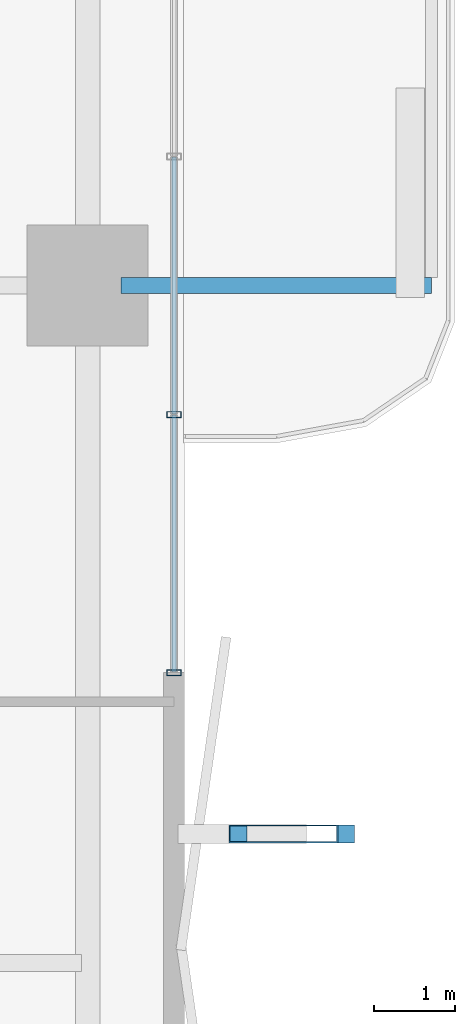
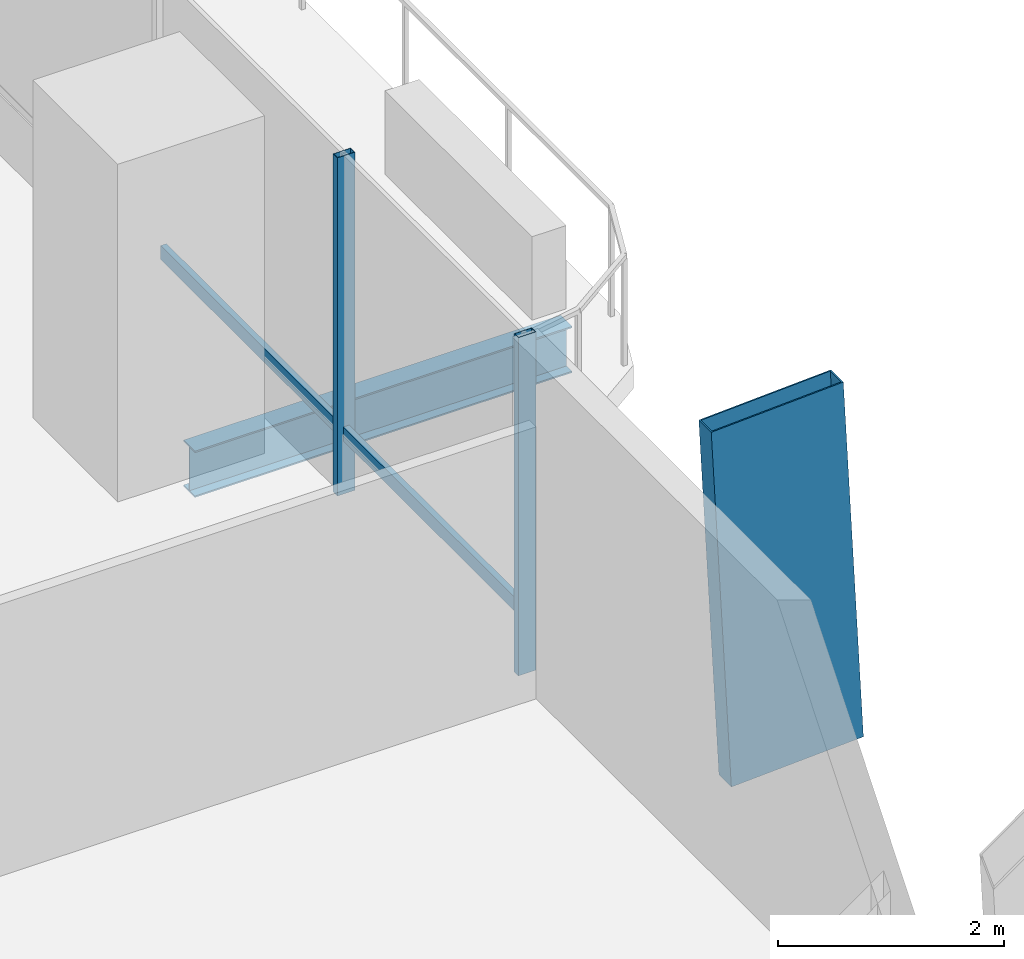
# One storey, part 8 of 24: 5 members, 1 beam, 1 element without a shape of its own.
"""IFC4 building model written with IfcOpenShell, lengths in metres."""

from ifc_helpers import new_model, si_unit, direction, frame, origin, origin_2d, place, context, subcontext, project, spatial, hollow_rectangle, i_section, extrude, material, layer, layer_set, material_profile, profile_set, type_object, element, aggregate, save


model = new_model("IFC4")

# Units and contexts
model_context = context("Model", 3, precision=1e-05, world=origin(), true_north=direction((0.0, 1.0)))
body_context = subcontext(model_context, "Body", "Model", "MODEL_VIEW")
ifc_project = project(units=[si_unit("LENGTHUNIT", "METRE"), si_unit("AREAUNIT", "SQUARE_METRE"), si_unit("VOLUMEUNIT", "CUBIC_METRE"), si_unit("PLANEANGLEUNIT", "RADIAN"), si_unit("MASSUNIT", "GRAM", prefix="KILO")], contexts=[model_context])

# Site, building, storey
site_placement = place(None, origin())
site = spatial("IfcSite", under=ifc_project, at=site_placement, CompositionType="ELEMENT")
building_placement = place(site_placement, origin())
building = spatial("IfcBuilding", under=site, at=building_placement, Name="Belovzor Exchange Tower", CompositionType="ELEMENT")
storey_placement = place(building_placement, frame((0.0, 0.0, 69.0)))
storey = spatial("IfcBuildingStorey", under=building, at=storey_placement, Name="L16", CompositionType="ELEMENT", Elevation=69.0)

# Member
ifc_material_1 = material(Name="Extruded Architectural Terracotta on Steel S355 Carrier", Category="masonry")
ifc_material_profile_1 = material_profile(ifc_material_1, hollow_rectangle(XDim=0.219970703125, YDim=1.35009765625, WallThickness=0.013916015625, at=origin_2d()))
ifc_profile_set_1 = profile_set([ifc_material_profile_1], Name="Extruded Architectural Terracotta on Steel S355 Carrier")
member_type_1 = type_object("IfcMemberType", Name="Base Arc Sweeping Terracotta Pylon Fin 1450", PredefinedType="USERDEFINED", material=ifc_profile_set_1)
member_1_placement = place(storey_placement, frame((58.132080078125, 22.0, -0.25), z_axis=(-0.052512896371, 0.0, 0.998620245997), x_axis=(0.0, -1.0, 0.0)))
element("IfcMember", 1, at=member_1_placement, inside=storey, type_object=member_type_1, Name="FIN-TC145 Terracotta Facade Fin L16 E2", ObjectType="FIN", PredefinedType="USERDEFINED", context=body_context, shape_type="SweptSolid", body=[
    extrude(hollow_rectangle(XDim=0.219970703125, YDim=1.35009765625, WallThickness=0.013916015625, at=origin_2d()), origin(), (0.0, 0.0, 1.0), 3.9052734375),
])

# Beam
ifc_material_2 = material(Name="Steel S355", Category="steel")
ifc_material_profile_2 = material_profile(ifc_material_2, i_section(OverallWidth=0.199951171875, OverallDepth=0.5, WebThickness=0.01025390625, FlangeThickness=0.01611328125, at=origin_2d()))
ifc_profile_set_2 = profile_set([ifc_material_profile_2], Name="Steel S355")
beam_type = type_object("IfcBeamType", Name="Planted Balcony Cantilever Beam IPE 500", PredefinedType="BEAM", material=ifc_profile_set_2)
beam_placement = place(storey_placement, frame((55.9130859375, 28.800048828125, -0.5), z_axis=(1.0, 0.0, 0.0), x_axis=(0.0, 1.0, 0.0)))
element("IfcBeam", 2, at=beam_placement, inside=storey, type_object=beam_type, Name="BC-500 Planted Balcony Cantilever Beam IPE 500", PredefinedType="BEAM", context=body_context, shape_type="SweptSolid", body=[
    extrude(i_section(OverallWidth=0.199951171875, OverallDepth=0.5, WebThickness=0.01025390625, FlangeThickness=0.01611328125, at=origin_2d()), origin(), (0.0, 0.0, 1.0), 3.849853515625),
])

# Curtain wall, members
ifc_material_3 = material(Name="Anodised Aluminium Framing", Category="aluminium")
ifc_layer = layer(ifc_material_3, 0.179931640625)
ifc_layer_set = layer_set([ifc_layer], Name="Anodised Aluminium Framing")
curtain_wall_type = type_object("IfcCurtainWallType", Name="Recessed Loggia Low-Iron Triple-Glazed Curtain Wall", PredefinedType="NOTDEFINED", material=ifc_layer_set)
curtain_wall_placement = place(storey_placement, origin())
curtain_wall = element("IfcCurtainWall", 3, at=curtain_wall_placement, inside=storey, type_object=curtain_wall_type, Name="CW3 Recessed Loggia Low-Iron Triple-Glazed Curtain Wall L16", PredefinedType="NOTDEFINED")
ifc_material_4 = material(Name="Steel S355", Category="steel")
ifc_material_profile_3 = material_profile(ifc_material_4, hollow_rectangle(XDim=0.074951171875, YDim=0.179931640625, WallThickness=0.0048828125, at=origin_2d()))
ifc_profile_set_3 = profile_set([ifc_material_profile_3], Name="Steel S355")
member_type_2 = type_object("IfcMemberType", Name="Thermally Broken Curtain Wall Mullion 180x75", PredefinedType="MULLION", material=ifc_profile_set_3)
member_2_placement = place(storey_placement, frame((56.570068359375, 27.199951171875, 0.0), z_axis=(0.0, 0.0, 1.0), x_axis=(0.0, -1.0, 0.0)))
member_2 = element("IfcMember", 4, at=member_2_placement, type_object=member_type_2, Name="CW-M180 Curtain Wall Mullion 3", PredefinedType="MULLION", context=body_context, shape_type="SweptSolid", body=[
    extrude(hollow_rectangle(XDim=0.074951171875, YDim=0.179931640625, WallThickness=0.0048828125, at=origin_2d()), origin(), (0.0, 0.0, 1.0), 3.64990234375),
])
member_3_placement = place(storey_placement, frame((56.570068359375, 24.0, 0.0), z_axis=(0.0, 0.0, 1.0), x_axis=(0.0, -1.0, 0.0)))
member_3 = element("IfcMember", 5, at=member_3_placement, type_object=member_type_2, Name="CW-M180 Curtain Wall Mullion 4", PredefinedType="MULLION", context=body_context, shape_type="SweptSolid", body=[
    extrude(hollow_rectangle(XDim=0.074951171875, YDim=0.179931640625, WallThickness=0.0048828125, at=origin_2d()), origin(), (0.0, 0.0, 1.0), 3.64990234375),
])
ifc_material_5 = material(Name="Steel S355", Category="steel")
ifc_material_profile_4 = material_profile(ifc_material_5, hollow_rectangle(XDim=0.06005859375, YDim=0.14990234375, WallThickness=0.00390625, at=origin_2d()))
ifc_profile_set_4 = profile_set([ifc_material_profile_4], Name="Steel S355")
member_type_3 = type_object("IfcMemberType", Name="Thermally Broken Curtain Wall Transom 150x60", PredefinedType="USERDEFINED", material=ifc_profile_set_4)
member_4_placement = place(storey_placement, frame((56.570068359375, 30.39208984375, 0.64990234375), z_axis=(0.0, -1.0, 0.0), x_axis=(1.0, 0.0, 0.0)))
member_4 = element("IfcMember", 6, at=member_4_placement, type_object=member_type_3, Name="CW-T150 Curtain Wall Transom 2", ObjectType="TRANSOM", PredefinedType="USERDEFINED", context=body_context, shape_type="SweptSolid", body=[
    extrude(hollow_rectangle(XDim=0.06005859375, YDim=0.14990234375, WallThickness=0.00390625, at=origin_2d()), origin(), (0.0, 0.0, 1.0), 3.18408203125),
])
member_5_placement = place(storey_placement, frame((56.570068359375, 27.19189453125, 0.64990234375), z_axis=(0.0, -1.0, 0.0), x_axis=(1.0, 0.0, 0.0)))
member_5 = element("IfcMember", 7, at=member_5_placement, type_object=member_type_3, Name="CW-T150 Curtain Wall Transom 3", ObjectType="TRANSOM", PredefinedType="USERDEFINED", context=body_context, shape_type="SweptSolid", body=[
    extrude(hollow_rectangle(XDim=0.06005859375, YDim=0.14990234375, WallThickness=0.00390625, at=origin_2d()), origin(), (0.0, 0.0, 1.0), 3.183837890625),
])
aggregate(curtain_wall, [member_2, member_3, member_4, member_5])

save(model, "model.ifc")
